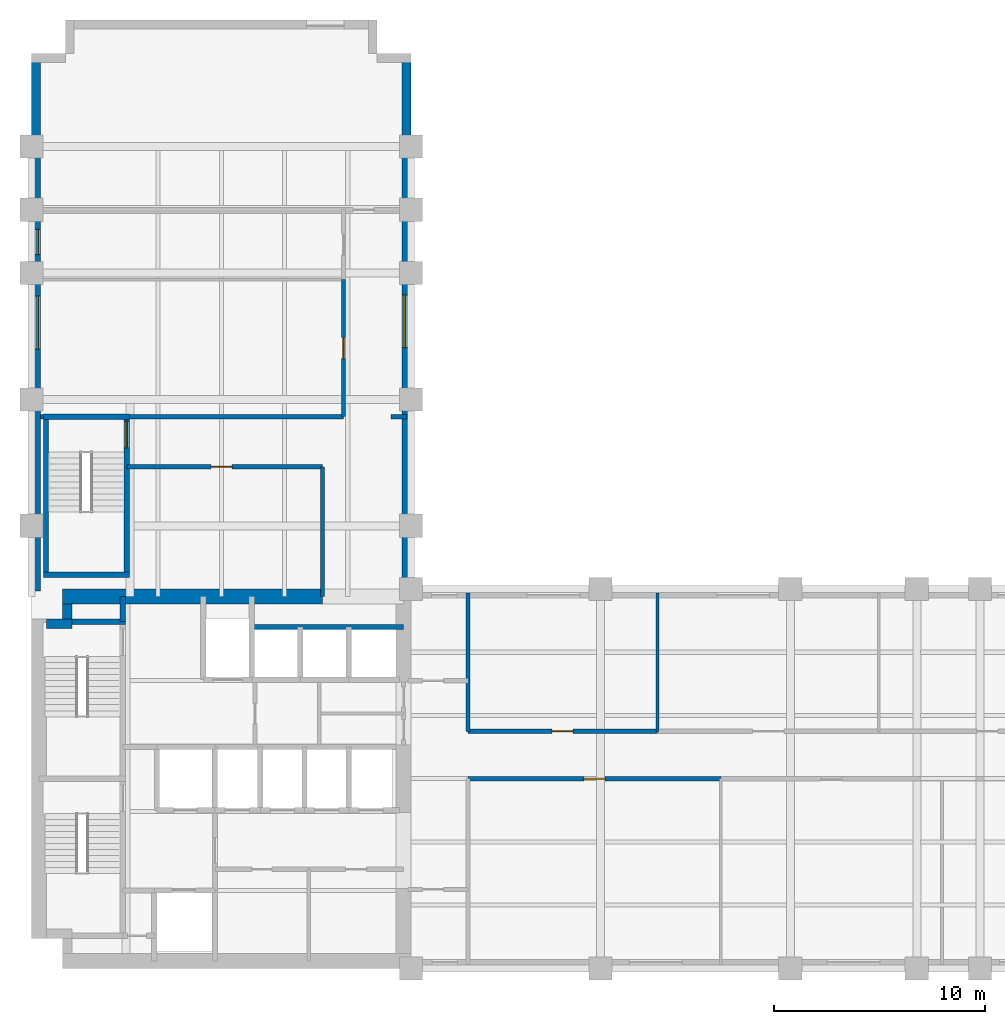
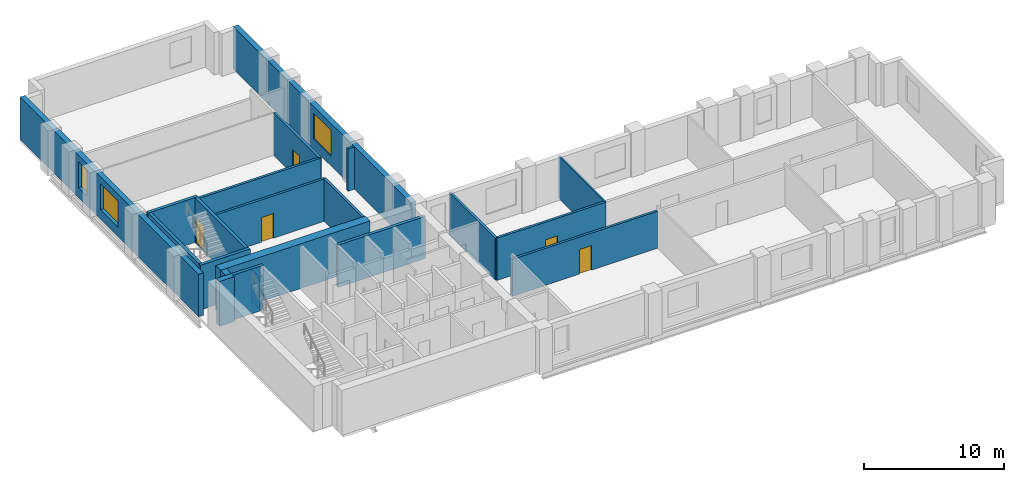
# One storey, part 4 of 7: 22 walls, 5 doors, 3 windows, 8 openings.
"""IFC4 building model written with IfcOpenShell, lengths in metres."""

from ifc_helpers import new_model, si_unit, direction, frame, frame_2d, origin, place, context, subcontext, project, spatial, rectangle, extrude, material, layer, layer_set, type_object, element, fill, save


model = new_model("IFC4")

# Units and contexts
model_context = context("Model", 3, precision=1e-05, world=origin(), true_north=direction((0.0, 1.0)))
body_context = subcontext(model_context, "Body", "Model", "MODEL_VIEW")
ifc_project = project(units=[si_unit("LENGTHUNIT", "METRE"), si_unit("AREAUNIT", "SQUARE_METRE"), si_unit("VOLUMEUNIT", "CUBIC_METRE"), si_unit("PLANEANGLEUNIT", "RADIAN"), si_unit("MASSUNIT", "GRAM", prefix="KILO")], contexts=[model_context])

# Site, building, storey
site_placement = place(None, origin())
site = spatial("IfcSite", under=ifc_project, at=site_placement, CompositionType="ELEMENT")
building_placement = place(site_placement, origin())
building = spatial("IfcBuilding", under=site, at=building_placement, Name="Mawjdan Bourse Tower", CompositionType="ELEMENT")
storey_placement = place(building_placement, frame((0.0, 0.0, 116.699951171875)))
storey = spatial("IfcBuildingStorey", under=building, at=storey_placement, Name="L27", CompositionType="ELEMENT", Elevation=116.699951171875)

# Wall, opening, window
ifc_material_1 = material(Name="Brick Masonry Buff", Category="masonry")
ifc_layer_1 = layer(ifc_material_1, 0.419921875)
ifc_layer_set_1 = layer_set([ifc_layer_1], Name="Brick Masonry Buff")
wall_type_1 = type_object("IfcWallType", Name="WL-BRK-BUFF-420", PredefinedType="STANDARD", material=ifc_layer_set_1)
wall_1_placement = place(storey_placement, frame((23.7900390625, 21.0, 0.0), z_axis=(0.0, 0.0, 1.0), x_axis=(0.0, 1.0, 0.0)))
wall_1 = element("IfcWall", 1, at=wall_1_placement, inside=storey, type_object=wall_type_1, Name="L27 Exterior Brick Wall 8", PredefinedType="STANDARD", context=body_context, shape_type="SweptSolid", body=[
    extrude(rectangle(XDim=25.39990234375, YDim=0.419921875, at=frame_2d((12.699951171875, 0.0))), origin(), (0.0, 0.0, 1.0), 3.699951171875),
])
opening_1_placement = place(wall_1_placement, frame((11.449951171875, 0.0, 0.85009765625)))
opening_1 = element("IfcOpeningElement", 2, at=opening_1_placement, cuts=wall_1, Name="Opening W-L27-05", PredefinedType="OPENING", context=body_context, shape_type="SweptSolid", body=[
    extrude(rectangle(XDim=2.5, YDim=2.25, at=frame_2d((1.25, 1.125))), frame((0.0, 0.219970703125, 0.0), z_axis=(0.0, -1.0, 0.0), x_axis=(1.0, 0.0, 0.0)), (0.0, 0.0, 1.0), 0.43994140625),
])
ifc_material_2 = material(Name="Solar-Control Clear Double Glazing", Category="glass")
window_type_1 = type_object("IfcWindowType", Name="WN-Z2-2500", PartitioningType="SINGLE_PANEL", PredefinedType="WINDOW", material=ifc_material_2)
window_1_placement = place(opening_1_placement, origin())
window_1 = element("IfcWindow", 3, at=window_1_placement, inside=storey, type_object=window_type_1, Name="L27 Deep-Set Masonry Window W-L27-05", OverallHeight=2.25, OverallWidth=2.5, PartitioningType="SINGLE_PANEL", PredefinedType="WINDOW", context=body_context, shape_type="SweptSolid", body=[
    extrude(rectangle(XDim=2.5, YDim=2.25, at=frame_2d((1.25, 1.125))), frame((0.0, 0.110107421875, 0.0), z_axis=(0.0, -1.0, 0.0), x_axis=(1.0, 0.0, 0.0)), (0.0, 0.0, 1.0), 0.06005859375),
])
fill(opening_1, window_1)

# Wall, openings, windows
wall_2_placement = place(storey_placement, frame((6.2099609375, 46.39990234375, 0.0), z_axis=(0.0, 0.0, 1.0), x_axis=(0.0, -1.0, 0.0)))
wall_2 = element("IfcWall", 4, at=wall_2_placement, inside=storey, type_object=wall_type_1, Name="L27 Exterior Brick Wall 14", PredefinedType="STANDARD", context=body_context, shape_type="SweptSolid", body=[
    extrude(rectangle(XDim=25.5, YDim=0.419921875, at=frame_2d((12.75, 0.0))), origin(), (0.0, 0.0, 1.0), 3.699951171875),
])
opening_2_placement = place(wall_2_placement, frame((11.5, 0.0, 0.85009765625)))
opening_2 = element("IfcOpeningElement", 5, at=opening_2_placement, cuts=wall_2, Name="Opening W-L27-07", PredefinedType="OPENING", context=body_context, shape_type="SweptSolid", body=[
    extrude(rectangle(XDim=2.5, YDim=2.25, at=frame_2d((1.25, 1.125))), frame((0.0, 0.219970703125, 0.0), z_axis=(0.0, -1.0, 0.0), x_axis=(1.0, 0.0, 0.0)), (0.0, 0.0, 1.0), 0.43994140625),
])
opening_3_placement = place(wall_2_placement, frame((8.336181640625, 0.0, 0.85009765625)))
opening_3 = element("IfcOpeningElement", 6, at=opening_3_placement, cuts=wall_2, Name="Opening W-L27-14", PredefinedType="OPENING", context=body_context, shape_type="SweptSolid", body=[
    extrude(rectangle(XDim=1.199951171875, YDim=2.25, at=frame_2d((0.60009765625, 1.125))), frame((0.0, 0.219970703125, 0.0), z_axis=(0.0, -1.0, 0.0), x_axis=(1.0, 0.0, 0.0)), (0.0, 0.0, 1.0), 0.43994140625),
])
window_type_2 = type_object("IfcWindowType", Name="WN-Z2-1200", PartitioningType="SINGLE_PANEL", PredefinedType="WINDOW", material=ifc_material_2)
window_2_placement = place(opening_3_placement, origin())
window_2 = element("IfcWindow", 7, at=window_2_placement, inside=storey, type_object=window_type_2, Name="L27 Deep-Set Masonry Window W-L27-14", OverallHeight=2.25, OverallWidth=1.199951171875, PartitioningType="SINGLE_PANEL", PredefinedType="WINDOW", context=body_context, shape_type="SweptSolid", body=[
    extrude(rectangle(XDim=1.199951171875, YDim=2.25, at=frame_2d((0.60009765625, 1.125))), frame((0.0, 0.110107421875, 0.0), z_axis=(0.0, -1.0, 0.0), x_axis=(1.0, 0.0, 0.0)), (0.0, 0.0, 1.0), 0.06005859375),
])
fill(opening_3, window_2)
window_3_placement = place(opening_2_placement, origin())
window_3 = element("IfcWindow", 8, at=window_3_placement, inside=storey, type_object=window_type_1, Name="L27 Deep-Set Masonry Window W-L27-07", OverallHeight=2.25, OverallWidth=2.5, PartitioningType="SINGLE_PANEL", PredefinedType="WINDOW", context=body_context, shape_type="SweptSolid", body=[
    extrude(rectangle(XDim=2.5, YDim=2.25, at=frame_2d((1.25, 1.125))), frame((0.0, 0.110107421875, 0.0), z_axis=(0.0, -1.0, 0.0), x_axis=(1.0, 0.0, 0.0)), (0.0, 0.0, 1.0), 0.06005859375),
])
fill(opening_2, window_3)

# Wall
ifc_material_3 = material(Name="Gypsum Fireboard Assembly")
ifc_layer_2 = layer(ifc_material_3, 0.199951171875)
ifc_layer_set_2 = layer_set([ifc_layer_2], Name="Gypsum Fireboard Assembly")
wall_type_2 = type_object("IfcWallType", Name="WL-CMP-200", PredefinedType="PARTITIONING", material=ifc_layer_set_2)
wall_3_placement = place(storey_placement, frame((26.699951171875, 14.25, 0.0), z_axis=(0.0, 0.0, 1.0), x_axis=(0.0, 1.0, 0.0)))
element("IfcWall", 9, at=wall_3_placement, inside=storey, type_object=wall_type_2, Name="L27 Vestibule North East Wall", PredefinedType="PARTITIONING", context=body_context, shape_type="SweptSolid", body=[
    extrude(rectangle(XDim=6.570068359375, YDim=0.199951171875, at=frame_2d((3.28515625, 0.0))), origin(), (0.0, 0.0, 1.0), 3.68994140625),
])

# Wall, opening, door
wall_4_placement = place(storey_placement, frame((26.699951171875, 12.0, 0.0), z_axis=(0.0, 0.0, 1.0), x_axis=(1.0, 0.0, 0.0)))
wall_4 = element("IfcWall", 10, at=wall_4_placement, inside=storey, type_object=wall_type_2, Name="L27 Capital Markets Office Corridor Wall", PredefinedType="PARTITIONING", context=body_context, shape_type="SweptSolid", body=[
    extrude(rectangle(XDim=12.0, YDim=0.199951171875, at=frame_2d((6.0, 0.0))), origin(), (0.0, 0.0, 1.0), 3.22705078125),
])
opening_4_placement = place(wall_4_placement, frame((5.5, 0.0, 0.0)))
opening_4 = element("IfcOpeningElement", 11, at=opening_4_placement, cuts=wall_4, Name="Opening D-L27-22", PredefinedType="OPENING", context=body_context, shape_type="SweptSolid", body=[
    extrude(rectangle(XDim=1.0, YDim=2.14990234375, at=frame_2d((0.5, 1.074951171875))), frame((0.0, 0.10986328125, 0.0), z_axis=(0.0, -1.0, 0.0), x_axis=(1.0, 0.0, 0.0)), (0.0, 0.0, 1.0), 0.219970703125),
])
ifc_material_4 = material(Name="Hardwood Acoustic Leaf", Category="wood")
door_type_1 = type_object("IfcDoorType", Name="DR-OFC-1000", OperationType="NOTDEFINED", PredefinedType="DOOR", material=ifc_material_4)
door_1_placement = place(opening_4_placement, origin())
door_1 = element("IfcDoor", 12, at=door_1_placement, inside=storey, type_object=door_type_1, Name="L27 Capital Markets Office Door D-L27-22", OperationType="SINGLE_SWING_RIGHT", OverallHeight=2.14990234375, OverallWidth=1.0, PredefinedType="DOOR", context=body_context, shape_type="SweptSolid", body=[
    extrude(rectangle(XDim=1.0, YDim=2.14990234375, at=frame_2d((0.5, 1.074951171875))), frame((0.0, 0.02490234375, 0.0), z_axis=(0.0, -1.0, 0.0), x_axis=(1.0, 0.0, 0.0)), (0.0, 0.0, 1.0), 0.050048828125),
])
fill(opening_4, door_1)

wall_5_placement = place(storey_placement, frame((26.699951171875, 14.25, 0.0), z_axis=(0.0, 0.0, 1.0), x_axis=(1.0, 0.0, 0.0)))
wall_5 = element("IfcWall", 13, at=wall_5_placement, inside=storey, type_object=wall_type_2, Name="L27 Executive Office Corridor Wall", PredefinedType="PARTITIONING", context=body_context, shape_type="SweptSolid", body=[
    extrude(rectangle(XDim=9.0, YDim=0.199951171875, at=frame_2d((4.5, 0.0))), origin(), (0.0, 0.0, 1.0), 3.68994140625),
])
opening_5_placement = place(wall_5_placement, frame((4.0, 0.0, 0.0)))
opening_5 = element("IfcOpeningElement", 14, at=opening_5_placement, cuts=wall_5, Name="Opening D-L27-25", PredefinedType="OPENING", context=body_context, shape_type="SweptSolid", body=[
    extrude(rectangle(XDim=1.0, YDim=2.14990234375, at=frame_2d((0.5, 1.074951171875))), frame((0.0, 0.10986328125, 0.0), z_axis=(0.0, -1.0, 0.0), x_axis=(1.0, 0.0, 0.0)), (0.0, 0.0, 1.0), 0.219970703125),
])
door_2_placement = place(opening_5_placement, origin())
door_2 = element("IfcDoor", 15, at=door_2_placement, inside=storey, type_object=door_type_1, Name="L27 Executive Office Door D-L27-25", OperationType="SINGLE_SWING_LEFT", OverallHeight=2.14990234375, OverallWidth=1.0, PredefinedType="DOOR", context=body_context, shape_type="SweptSolid", body=[
    extrude(rectangle(XDim=1.0, YDim=2.14990234375, at=frame_2d((0.5, 1.074951171875))), frame((0.0, 0.02490234375, 0.0), z_axis=(0.0, -1.0, 0.0), x_axis=(1.0, 0.0, 0.0)), (0.0, 0.0, 1.0), 0.050048828125),
])
fill(opening_5, door_2)

wall_6_placement = place(storey_placement, frame((10.52001953125, 26.800048828125, 0.0), z_axis=(0.0, 0.0, 1.0), x_axis=(1.0, 0.0, 0.0)))
wall_6 = element("IfcWall", 16, at=wall_6_placement, inside=storey, type_object=wall_type_2, Name="L27 North Throat North Wall", PredefinedType="PARTITIONING", context=body_context, shape_type="SweptSolid", body=[
    extrude(rectangle(XDim=9.280029296875, YDim=0.199951171875, at=frame_2d((4.64013671875, 0.0))), origin(), (0.0, 0.0, 1.0), 3.68994140625),
])
opening_6_placement = place(wall_6_placement, frame((4.0, 0.0, 0.0)))
opening_6 = element("IfcOpeningElement", 17, at=opening_6_placement, cuts=wall_6, Name="Opening D-L27-29", PredefinedType="OPENING", context=body_context, shape_type="SweptSolid", body=[
    extrude(rectangle(XDim=1.0, YDim=2.14990234375, at=frame_2d((0.5, 1.074951171875))), frame((0.0, 0.10986328125, 0.0), z_axis=(0.0, -1.0, 0.0), x_axis=(1.0, 0.0, 0.0)), (0.0, 0.0, 1.0), 0.219970703125),
])
door_3_placement = place(opening_6_placement, origin())
door_3 = element("IfcDoor", 18, at=door_3_placement, inside=storey, type_object=door_type_1, Name="L27 North Throat Suite Door D-L27-29", OperationType="SINGLE_SWING_RIGHT", OverallHeight=2.14990234375, OverallWidth=1.0, PredefinedType="DOOR", context=body_context, shape_type="SweptSolid", body=[
    extrude(rectangle(XDim=1.0, YDim=2.14990234375, at=frame_2d((0.5, 1.074951171875))), frame((0.0, 0.02490234375, 0.0), z_axis=(0.0, -1.0, 0.0), x_axis=(1.0, 0.0, 0.0)), (0.0, 0.0, 1.0), 0.050048828125),
])
fill(opening_6, door_3)

# Walls
wall_7_placement = place(storey_placement, frame((19.800048828125, 20.64990234375, 0.0), z_axis=(0.0, 0.0, 1.0), x_axis=(0.0, 1.0, 0.0)))
element("IfcWall", 19, at=wall_7_placement, inside=storey, type_object=wall_type_2, Name="L27 North Throat East Wall", PredefinedType="PARTITIONING", context=body_context, shape_type="SweptSolid", body=[
    extrude(rectangle(XDim=6.150146484375, YDim=0.199951171875, at=frame_2d((3.0751953125, 0.0))), origin(), (0.0, 0.0, 1.0), 3.68994140625),
])
wall_8_placement = place(storey_placement, frame((6.419921875, 29.179931640625, 0.0), z_axis=(0.0, 0.0, 1.0), x_axis=(1.0, 0.0, 0.0)))
element("IfcWall", 20, at=wall_8_placement, inside=storey, type_object=wall_type_2, Name="L27 North West Band ST3 West Return", PredefinedType="PARTITIONING", context=body_context, shape_type="SweptSolid", body=[
    extrude(rectangle(XDim=0.135009765625, YDim=0.199951171875, at=frame_2d((0.0673828125, 0.0))), origin(), (0.0, 0.0, 1.0), 3.68994140625),
])
wall_9_placement = place(storey_placement, frame((10.6298828125, 29.179931640625, 0.0), z_axis=(0.0, 0.0, 1.0), x_axis=(1.0, 0.0, 0.0)))
element("IfcWall", 21, at=wall_9_placement, inside=storey, type_object=wall_type_2, Name="L27 North West Band South Wall", PredefinedType="PARTITIONING", context=body_context, shape_type="SweptSolid", body=[
    extrude(rectangle(XDim=10.170166015625, YDim=0.199951171875, at=frame_2d((5.0849609375, 0.0))), origin(), (0.0, 0.0, 1.0), 3.68994140625),
])
wall_10_placement = place(storey_placement, frame((23.050048828125, 29.179931640625, 0.0), z_axis=(0.0, 0.0, 1.0), x_axis=(1.0, 0.0, 0.0)))
element("IfcWall", 22, at=wall_10_placement, inside=storey, type_object=wall_type_2, Name="L27 North East Band South Wall", PredefinedType="PARTITIONING", context=body_context, shape_type="SweptSolid", body=[
    extrude(rectangle(XDim=0.77001953125, YDim=0.199951171875, at=frame_2d((0.385009765625, 0.0))), origin(), (0.0, 0.0, 1.0), 3.68994140625),
])

# Wall, opening, door
wall_11_placement = place(storey_placement, frame((20.800048828125, 29.179931640625, 0.0), z_axis=(0.0, 0.0, 1.0), x_axis=(0.0, 1.0, 0.0)))
wall_11 = element("IfcWall", 23, at=wall_11_placement, inside=storey, type_object=wall_type_2, Name="L27 Corporate Finance Office Corridor Wall", PredefinedType="PARTITIONING", context=body_context, shape_type="SweptSolid", body=[
    extrude(rectangle(XDim=6.5, YDim=0.199951171875, at=frame_2d((3.25, 0.0))), origin(), (0.0, 0.0, 1.0), 3.68994140625),
])
opening_7_placement = place(wall_11_placement, frame((2.75, 0.0, 0.0)))
opening_7 = element("IfcOpeningElement", 24, at=opening_7_placement, cuts=wall_11, Name="Opening D-L27-30", PredefinedType="OPENING", context=body_context, shape_type="SweptSolid", body=[
    extrude(rectangle(XDim=1.0, YDim=2.14990234375, at=frame_2d((0.5, 1.074951171875))), frame((0.0, 0.10986328125, 0.0), z_axis=(0.0, -1.0, 0.0), x_axis=(1.0, 0.0, 0.0)), (0.0, 0.0, 1.0), 0.219970703125),
])
door_4_placement = place(opening_7_placement, origin())
door_4 = element("IfcDoor", 25, at=door_4_placement, inside=storey, type_object=door_type_1, Name="L27 Corporate Finance Office Door D-L27-30", OperationType="SINGLE_SWING_LEFT", OverallHeight=2.14990234375, OverallWidth=1.0, PredefinedType="DOOR", context=body_context, shape_type="SweptSolid", body=[
    extrude(rectangle(XDim=1.0, YDim=2.14990234375, at=frame_2d((0.5, 1.074951171875))), frame((0.0, 0.02490234375, 0.0), z_axis=(0.0, -1.0, 0.0), x_axis=(1.0, 0.0, 0.0)), (0.0, 0.0, 1.0), 0.050048828125),
])
fill(opening_7, door_4)

# Walls
ifc_material_5 = material(Name="Concrete C60/75", Category="concrete")
ifc_layer_3 = layer(ifc_material_5, 0.449951171875)
ifc_layer_set_3 = layer_set([ifc_layer_3], Name="Concrete C60/75")
wall_type_3 = type_object("IfcWallType", Name="WL-CORE-450", PredefinedType="SHEAR", material=ifc_layer_set_3)
wall_12_placement = place(storey_placement, frame((6.699951171875, 19.35009765625, 0.0), z_axis=(0.0, 0.0, 1.0), x_axis=(1.0, 0.0, 0.0)))
element("IfcWall", 26, at=wall_12_placement, inside=storey, type_object=wall_type_3, Name="L27 Rear Core Shear Wall NW-X", PredefinedType="SHEAR", context=body_context, shape_type="SweptSolid", body=[
    extrude(rectangle(XDim=1.22509765625, YDim=0.449951171875, at=frame_2d((0.612548828125, 0.0))), origin(), (0.0, 0.0, 1.0), 3.900146484375),
])
wall_13_placement = place(storey_placement, frame((7.699951171875, 19.574951171875, 0.0), z_axis=(0.0, 0.0, 1.0), x_axis=(0.0, 1.0, 0.0)))
element("IfcWall", 27, at=wall_13_placement, inside=storey, type_object=wall_type_3, Name="L27 Rear Core Shear Wall NW-Y", PredefinedType="SHEAR", context=body_context, shape_type="SweptSolid", body=[
    extrude(rectangle(XDim=0.72509765625, YDim=0.449951171875, at=frame_2d((0.362548828125, 0.0))), origin(), (0.0, 0.0, 1.0), 3.900146484375),
])
ifc_material_6 = material(Name="Concrete C70/85", Category="concrete")
ifc_layer_4 = layer(ifc_material_6, 0.699951171875)
ifc_layer_set_4 = layer_set([ifc_layer_4], Name="Concrete C70/85")
wall_type_4 = type_object("IfcWallType", Name="WL-CORE-700", PredefinedType="SHEAR", material=ifc_layer_set_4)
wall_14_placement = place(storey_placement, frame((7.47509765625, 20.64990234375, 0.0), z_axis=(0.0, 0.0, 1.0), x_axis=(1.0, 0.0, 0.0)))
element("IfcWall", 28, at=wall_14_placement, inside=storey, type_object=wall_type_4, Name="L27 Rear Core Shear Wall N", PredefinedType="SHEAR", context=body_context, shape_type="SweptSolid", body=[
    extrude(rectangle(XDim=12.324951171875, YDim=0.699951171875, at=frame_2d((6.16259765625, 0.0))), origin(), (0.0, 0.0, 1.0), 3.900146484375),
])
ifc_material_7 = material(Name="Gypsum Partition")
ifc_layer_5 = layer(ifc_material_7, 0.125)
ifc_layer_set_5 = layer_set([ifc_layer_5], Name="Gypsum Partition")
wall_type_5 = type_object("IfcWallType", Name="WL-PRT-125", PredefinedType="PARTITIONING", material=ifc_layer_set_5)
wall_15_placement = place(storey_placement, frame((35.699951171875, 14.25, 0.0), z_axis=(0.0, 0.0, 1.0), x_axis=(0.0, 1.0, 0.0)))
element("IfcWall", 29, at=wall_15_placement, inside=storey, type_object=wall_type_5, Name="L27 Conference Room Partition", PredefinedType="PARTITIONING", context=body_context, shape_type="SweptSolid", body=[
    extrude(rectangle(XDim=6.570068359375, YDim=0.125, at=frame_2d((3.28515625, 0.0))), origin(), (0.0, 0.0, 1.0), 3.68994140625),
])
ifc_material_8 = material(Name="Concrete C50/60", Category="concrete")
ifc_layer_6 = layer(ifc_material_8, 0.25)
ifc_layer_set_6 = layer_set([ifc_layer_6], Name="Concrete C50/60")
wall_type_6 = type_object("IfcWallType", Name="WL-SHFT-250", PredefinedType="PARTITIONING", material=ifc_layer_set_6)
wall_16_placement = place(storey_placement, frame((10.330078125, 19.449951171875, 0.0), z_axis=(0.0, 0.0, 1.0), x_axis=(0.0, 1.0, 0.0)))
element("IfcWall", 30, at=wall_16_placement, inside=storey, type_object=wall_type_6, Name="L27 NW Riser East Wall", PredefinedType="PARTITIONING", context=body_context, shape_type="SweptSolid", body=[
    extrude(rectangle(XDim=1.199951171875, YDim=0.25, at=frame_2d((0.60009765625, 0.0))), origin(), (0.0, 0.0, 1.0), 2.9169921875),
])
wall_17_placement = place(storey_placement, frame((16.449951171875, 19.199951171875, 0.0), z_axis=(0.0, 0.0, 1.0), x_axis=(1.0, 0.0, 0.0)))
element("IfcWall", 31, at=wall_17_placement, inside=storey, type_object=wall_type_6, Name="L27 PH Bank North Shaft Back Wall", PredefinedType="PARTITIONING", context=body_context, shape_type="SweptSolid", body=[
    extrude(rectangle(XDim=7.199951171875, YDim=0.25, at=frame_2d((3.60009765625, 0.0))), origin(), (0.0, 0.0, 1.0), 3.68994140625),
])
ifc_layer_7 = layer(ifc_material_8, 0.25)
ifc_layer_set_7 = layer_set([ifc_layer_7], Name="Concrete C50/60")
wall_type_7 = type_object("IfcWallType", Name="WL-STRW-250", PredefinedType="SHEAR", material=ifc_layer_set_7)
wall_18_placement = place(storey_placement, frame((7.699951171875, 19.449951171875, 0.0), z_axis=(0.0, 0.0, 1.0), x_axis=(1.0, 0.0, 0.0)))
element("IfcWall", 32, at=wall_18_placement, inside=storey, type_object=wall_type_7, Name="L27 Stairwell ST2 North Shaft Wall", PredefinedType="SHEAR", context=body_context, shape_type="SweptSolid", body=[
    extrude(rectangle(XDim=2.755126953125, YDim=0.25, at=frame_2d((1.37744140625, 0.0))), origin(), (0.0, 0.0, 1.0), 3.900146484375),
])
for number, where, z_axis, x_axis, name in (
    (33, (6.554931640625, 21.679931640625, 0.0), (0.0, 0.0, 1.0), (1.0, 0.0, 0.0), "L27 ST3 South Shaft Wall"),
    (34, (6.554931640625, 29.179931640625, 0.0), (0.0, 0.0, 1.0), (1.0, 0.0, 0.0), "L27 ST3 North Shaft Wall"),
):
    element("IfcWall", number, at=place(storey_placement, frame(where, z_axis=z_axis, x_axis=x_axis)), inside=storey, type_object=wall_type_7, Name=name, PredefinedType="SHEAR", context=body_context, shape_type="SweptSolid", body=[
        extrude(rectangle(XDim=4.090087890625, YDim=0.25, at=frame_2d((2.044921875, 0.0))), origin(), (0.0, 0.0, 1.0), 3.900146484375),
    ])
wall_19_placement = place(storey_placement, frame((6.679931640625, 21.679931640625, 0.0), z_axis=(0.0, 0.0, 1.0), x_axis=(0.0, 1.0, 0.0)))
element("IfcWall", 35, at=wall_19_placement, inside=storey, type_object=wall_type_7, Name="L27 ST3 West Shaft Wall", PredefinedType="SHEAR", context=body_context, shape_type="SweptSolid", body=[
    extrude(rectangle(XDim=7.5, YDim=0.25, at=frame_2d((3.75, 0.0))), origin(), (0.0, 0.0, 1.0), 3.900146484375),
])

# Wall, opening, door
wall_20_placement = place(storey_placement, frame((10.52001953125, 21.679931640625, 0.0), z_axis=(0.0, 0.0, 1.0), x_axis=(0.0, 1.0, 0.0)))
wall_20 = element("IfcWall", 36, at=wall_20_placement, inside=storey, type_object=wall_type_7, Name="L27 ST3 East Shaft Wall", PredefinedType="SHEAR", context=body_context, shape_type="SweptSolid", body=[
    extrude(rectangle(XDim=7.5, YDim=0.25, at=frame_2d((3.75, 0.0))), origin(), (0.0, 0.0, 1.0), 3.900146484375),
])
opening_8_placement = place(wall_20_placement, frame((6.02001953125, 0.0, 0.0)))
opening_8 = element("IfcOpeningElement", 37, at=opening_8_placement, cuts=wall_20, Name="Opening SD-L27-19", PredefinedType="OPENING", context=body_context, shape_type="SweptSolid", body=[
    extrude(rectangle(XDim=1.25, YDim=2.199951171875, at=frame_2d((0.625, 1.10009765625))), frame((0.0, 0.135009765625, 0.0), z_axis=(0.0, -1.0, 0.0), x_axis=(1.0, 0.0, 0.0)), (0.0, 0.0, 1.0), 0.27001953125),
])
ifc_material_9 = material(Name="Fire-Rated Steel Leaf", Category="steel")
door_type_2 = type_object("IfcDoorType", Name="FD-ST-1250", OperationType="NOTDEFINED", PredefinedType="DOOR", material=ifc_material_9)
door_5_placement = place(opening_8_placement, origin())
door_5 = element("IfcDoor", 38, at=door_5_placement, inside=storey, type_object=door_type_2, Name="L27 Stair ST3 Fire Door SD-L27-19", OperationType="SINGLE_SWING_LEFT", OverallHeight=2.199951171875, OverallWidth=1.25, PredefinedType="DOOR", context=body_context, shape_type="SweptSolid", body=[
    extrude(rectangle(XDim=1.25, YDim=2.199951171875, at=frame_2d((0.625, 1.10009765625))), frame((0.0, 0.02490234375, 0.0), z_axis=(0.0, -1.0, 0.0), x_axis=(1.0, 0.0, 0.0)), (0.0, 0.0, 1.0), 0.050048828125),
])
fill(opening_8, door_5)

save(model, "model.ifc")
